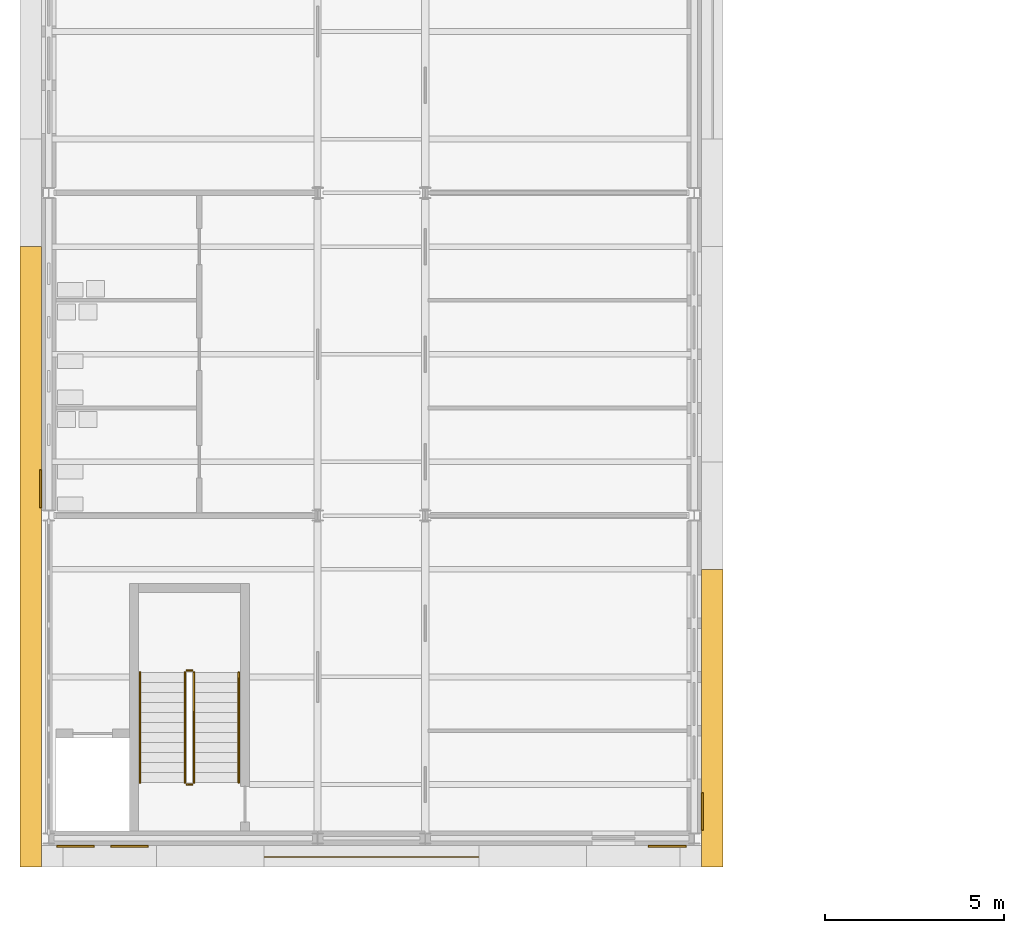
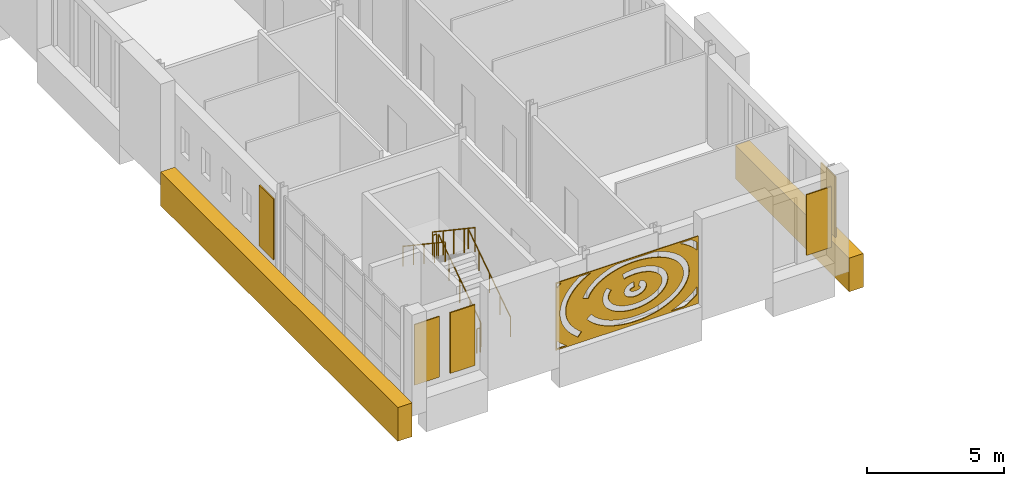
# One storey, part 107 of 131: 8 coverings, 6 railings.
"""IFC4 building model written with IfcOpenShell, lengths in metres."""

import ifcopenshell
import ifcopenshell.guid

model = None  # the IFC model being written
_history = None  # IfcOwnerHistory: only IFC2X3 demands one
_inside = {}  # id of a spatial element -> (the spatial element, [elements in it])
_under = {}  # id of a project, library or spatial element -> (it, [spatial elements below it])
_declared = {}  # id of a project -> (the project, [libraries it declares])
_typed = {}  # id of a type object -> (the type object, [elements of that type])
_made_of = {}  # id of a material, layer set ... -> (it, [elements and type objects made of it])


def new_model(schema):
    """Start an empty IFC model of exactly this schema.

    Asked for "IFC4X3", IfcOpenShell would pick the latest addendum, in which some entities
    have other attributes; the version numbers below select the first issue.
    IFC2X3 requires an IfcOwnerHistory on every rooted entity: one is made here for all.
    """
    global model, _history
    if schema == "IFC4X3":
        model = ifcopenshell.file(schema_version=(4, 3, 0, 0))
    else:
        model = ifcopenshell.file(schema=schema)
    _inside.clear()
    _under.clear()
    _declared.clear()
    _typed.clear()
    _made_of.clear()
    _history = None
    if model.schema == "IFC2X3":
        org = make("IfcOrganization", Name="unknown")
        user = make(
            "IfcPersonAndOrganization",
            ThePerson=make("IfcPerson", FamilyName="unknown"),
            TheOrganization=org,
        )
        app = make(
            "IfcApplication",
            ApplicationDeveloper=org,
            Version="unknown",
            ApplicationFullName="unknown",
            ApplicationIdentifier="unknown",
        )
        _history = make(
            "IfcOwnerHistory",
            OwningUser=user,
            OwningApplication=app,
            ChangeAction="ADDED",
            CreationDate=0,
        )
    return model


def make(cls, **values):
    """One entity of the class cls with the attributes given. An attribute that is None is left unset."""
    return model.create_entity(
        cls, **{name: value for name, value in values.items() if value is not None}
    )


def rooted(cls, **values):
    """An entity with a GlobalId (a new one), such as an element, a storey or a relation."""
    return make(cls, GlobalId=ifcopenshell.guid.new(), OwnerHistory=_history, **values)


def si_unit(unit_type, name, prefix=None):
    """IfcSIUnit, for example si_unit("LENGTHUNIT", "METRE", prefix="MILLI")."""
    return make("IfcSIUnit", UnitType=unit_type, Prefix=prefix, Name=name)


def assignment(units):
    """IfcUnitAssignment: the units of a project."""
    return None if units is None else make("IfcUnitAssignment", Units=units)


def point(xyz):
    """IfcCartesianPoint."""
    return None if xyz is None else make("IfcCartesianPoint", Coordinates=xyz)


def direction(xyz):
    """IfcDirection."""
    return None if xyz is None else make("IfcDirection", DirectionRatios=xyz)


def frame(location, z_axis=None, x_axis=None):
    """IfcAxis2Placement3D, a coordinate frame: its origin and axes. An axis left out is left unset."""
    return make(
        "IfcAxis2Placement3D",
        Location=point(location),
        Axis=direction(z_axis),
        RefDirection=direction(x_axis),
    )


def frame_2d(location, x_axis=None):
    """IfcAxis2Placement2D, a coordinate frame in the plane: its origin and x axis."""
    return make(
        "IfcAxis2Placement2D", Location=point(location), RefDirection=direction(x_axis)
    )


def origin():
    """The frame at (0, 0, 0) with its axes left unset."""
    return frame((0.0, 0.0, 0.0))


def origin_2d():
    """The frame at (0, 0) in the plane with its x axis left unset."""
    return frame_2d((0.0, 0.0))


def place(relative_to, where):
    """IfcLocalPlacement: puts the frame where relative to a parent placement (None: the world)."""
    return make(
        "IfcLocalPlacement", PlacementRelTo=relative_to, RelativePlacement=where
    )


def context(
    kind, dimensions, precision=None, world=None, true_north=None, identifier=None
):
    """IfcGeometricRepresentationContext, for example the 3D "Model" context."""
    return make(
        "IfcGeometricRepresentationContext",
        ContextIdentifier=identifier,
        ContextType=kind,
        CoordinateSpaceDimension=dimensions,
        Precision=precision,
        WorldCoordinateSystem=world,
        TrueNorth=true_north,
    )


def subcontext(parent, identifier, kind, view, scale=None):
    """IfcGeometricRepresentationSubContext, for example "Body" below "Model"."""
    return make(
        "IfcGeometricRepresentationSubContext",
        ContextIdentifier=identifier,
        ContextType=kind,
        ParentContext=parent,
        TargetScale=scale,
        TargetView=view,
    )


def project(units=None, contexts=None):
    """IfcProject with its units and contexts."""
    return rooted(
        "IfcProject",
        Name="project",
        RepresentationContexts=contexts,
        UnitsInContext=assignment(units),
    )


def spatial(cls, under=None, at=None, **own):
    """A site, building, storey or space (cls), placed at a placement, below another one or the project."""
    s = rooted(cls, ObjectPlacement=at, **own)
    if under is not None:
        _under.setdefault(under.id(), (under, []))[1].append(s)
    return s


def polyline(points):
    """IfcPolyline through the points."""
    return make("IfcPolyline", Points=[point(p) for p in points])


def profile(cls, at=None, kind="AREA", **sizes):
    """A parametric profile (cls). Its sizes go by their IFC names, for example OverallWidth=200.0."""
    return make(cls, ProfileType=kind, Position=at, **sizes)


def circle(**sizes):
    """IfcCircleProfileDef."""
    return profile("IfcCircleProfileDef", **sizes)


def outline(outer, holes=None, kind="AREA"):
    """IfcArbitraryClosedProfileDef: a profile drawn as a closed curve; with holes, ...WithVoids."""
    if holes is None:
        return make("IfcArbitraryClosedProfileDef", ProfileType=kind, OuterCurve=outer)
    return make(
        "IfcArbitraryProfileDefWithVoids",
        ProfileType=kind,
        OuterCurve=outer,
        InnerCurves=holes,
    )


def extrude(swept, where, along, depth):
    """IfcExtrudedAreaSolid: the profile swept, set in the frame where, extruded along a direction by depth."""
    return make(
        "IfcExtrudedAreaSolid",
        SweptArea=swept,
        Position=where,
        ExtrudedDirection=direction(along),
        Depth=depth,
    )


def shape(context_of_items, identifier, shape_type, items):
    """IfcShapeRepresentation: the items that make up one representation, for example the "Body"."""
    return make(
        "IfcShapeRepresentation",
        ContextOfItems=context_of_items,
        RepresentationIdentifier=identifier,
        RepresentationType=shape_type,
        Items=items,
    )


def material(Name=None, Category=None):
    """IfcMaterial."""
    return make("IfcMaterial", Name=Name, Category=Category)


def layer(
    of_material, thickness, ventilated=None, Name=None, Category=None, Priority=None
):
    """IfcMaterialLayer: one layer of a wall or slab, of a material (None: an air gap)."""
    return make(
        "IfcMaterialLayer",
        Material=of_material,
        LayerThickness=thickness,
        IsVentilated=ventilated,
        Name=Name,
        Category=Category,
        Priority=Priority,
    )


def layer_set(layers, Name=None):
    """IfcMaterialLayerSet."""
    return make("IfcMaterialLayerSet", MaterialLayers=layers, LayerSetName=Name)


def made_of(thing, what):
    """Note that an element or type object is made of a material, layer set ...; save() writes the relation."""
    if what is not None:
        _made_of.setdefault(what.id(), (what, []))[1].append(thing)
    return thing


def type_object(cls, material=None, **own):
    """A type object (cls), such as IfcWallType, which elements share."""
    return made_of(rooted(cls, **own), material)


def element(
    cls,
    number,
    at=None,
    inside=None,
    cuts=None,
    type_object=None,
    material=None,
    context=None,
    identifier="Body",
    shape_type=None,
    held_by="IfcProductDefinitionShape",
    body=None,
    shapes=None,
    **own,
):
    """One element of the class cls, such as IfcWall. Its Tag is "e" and its number.

    at: its placement. inside: the storey or other place that contains it. cuts: it is an
    opening in that element (IfcRelVoidsElement). A single representation is given by context,
    identifier, shape_type and body (its items); several are given by shapes. held_by: the class
    of the entity that holds the representations. save() writes the other relations.
    """
    e = rooted(cls, Tag="e%d" % number, ObjectPlacement=at, **own)
    if body is not None:
        shapes = [shape(context, identifier, shape_type, body)]
    if shapes is not None:
        e.Representation = make(held_by, Representations=shapes)
    if inside is not None:
        _inside.setdefault(inside.id(), (inside, []))[1].append(e)
    if cuts is not None:
        rooted(
            "IfcRelVoidsElement", RelatingBuildingElement=cuts, RelatedOpeningElement=e
        )
    if type_object is not None:
        _typed.setdefault(type_object.id(), (type_object, []))[1].append(e)
    return made_of(e, material)


def aggregate(whole, parts):
    """IfcRelAggregates: a whole, such as a stair, and the parts it consists of."""
    return rooted("IfcRelAggregates", RelatingObject=whole, RelatedObjects=parts)


def save(model, path):
    """Write the relations noted so far, then the file.

    IfcRelAggregates (storeys below a building ...), IfcRelContainedInSpatialStructure (elements
    in a storey), IfcRelDefinesByType, IfcRelAssociatesMaterial and IfcRelDeclares: one each for
    every whole, place, type object, material and project.
    """
    for whole, parts in _under.values():
        aggregate(whole, parts)
    for where, things in _inside.values():
        rooted(
            "IfcRelContainedInSpatialStructure",
            RelatedElements=things,
            RelatingStructure=where,
        )
    for kind, things in _typed.values():
        rooted("IfcRelDefinesByType", RelatedObjects=things, RelatingType=kind)
    for what, things in _made_of.values():
        rooted("IfcRelAssociatesMaterial", RelatedObjects=things, RelatingMaterial=what)
    for by, libraries in _declared.values():
        rooted("IfcRelDeclares", RelatingContext=by, RelatedDefinitions=libraries)
    model.write(path)


model = new_model("IFC4")

# Units and contexts
model_context = context("Model", 3, precision=1e-05, world=origin(), true_north=direction((0.0, 1.0)))
body_context = subcontext(model_context, "Body", "Model", "MODEL_VIEW")
ifc_project = project(units=[si_unit("LENGTHUNIT", "METRE"), si_unit("AREAUNIT", "SQUARE_METRE"), si_unit("VOLUMEUNIT", "CUBIC_METRE"), si_unit("PLANEANGLEUNIT", "RADIAN"), si_unit("MASSUNIT", "GRAM", prefix="KILO")], contexts=[model_context])

# Site, building, storey
site_placement = place(None, origin())
site = spatial("IfcSite", under=ifc_project, at=site_placement, CompositionType="ELEMENT")
building_placement = place(site_placement, origin())
building = spatial("IfcBuilding", under=site, at=building_placement, Name="Golden Quay Civic Hall", CompositionType="ELEMENT")
storey_placement = place(building_placement, frame((0.0, 0.0, 9.89990234375)))
storey = spatial("IfcBuildingStorey", under=building, at=storey_placement, Name="L02", CompositionType="ELEMENT", Elevation=9.89990234375)

# Covering
ifc_material_1 = material(Name="Aluminium, golden anodised, perforated", Category="aluminium")
ifc_layer_1 = layer(ifc_material_1, 0.0400390625)
ifc_layer_set_1 = layer_set([ifc_layer_1], Name="Perforated screen panel 6000 x 3000 x 40")
covering_type_1 = type_object("IfcCoveringType", Name="Perforated screen panel 6000 x 3000 x 40", PredefinedType="CLADDING", material=ifc_layer_set_1)
covering_1_placement = place(storey_placement, frame((9.0, -9.5, 2.10009765625), z_axis=(0.0, -1.0, 0.0), x_axis=(1.0, 0.0, 0.0)))
element("IfcCovering", 1, at=covering_1_placement, inside=storey, type_object=covering_type_1, Name="Perforated screen panel 6000 x 3000 x 40 L02 6", PredefinedType="CLADDING", context=body_context, shape_type="SweptSolid", body=[
    extrude(outline(polyline([(-3.0, -1.5), (3.0, -1.5), (3.0, 1.5), (-3.0, 1.5), (-3.0, -1.5)]), holes=[polyline([(0.258056640625, 0.16650390625), (0.1943359375, 0.14599609375), (0.162109375, 0.12841796875), (0.139404296875, 0.110595703125), (0.126708984375, 0.095458984375), (0.120849609375, 0.080078125), (0.1259765625, 0.065673828125), (0.1376953125, 0.051025390625), (0.174072265625, 0.0244140625), (0.210205078125, 0.007568359375), (0.277587890625, -0.010498046875), (0.327880859375, -0.015869140625), (0.379150390625, -0.015380859375), (0.45263671875, -0.004150390625), (0.495361328125, 0.009765625), (0.544189453125, 0.035888671875), (0.564453125, 0.05322265625), (0.574951171875, 0.0673828125), (0.5791015625, 0.07861328125), (0.57568359375, 0.09130859375), (0.55810546875, 0.11279296875), (0.5341796875, 0.130859375), (0.4765625, 0.1572265625), (0.562744140625, 0.38232421875), (0.633056640625, 0.351806640625), (0.68798828125, 0.317626953125), (0.742431640625, 0.269287109375), (0.77392578125, 0.22900390625), (0.801513671875, 0.176513671875), (0.816650390625, 0.123291015625), (0.81982421875, 0.064697265625), (0.810302734375, 0.009521484375), (0.797607421875, -0.02587890625), (0.780517578125, -0.05859375), (0.759765625, -0.0888671875), (0.735595703125, -0.1162109375), (0.708984375, -0.14111328125), (0.6572265625, -0.177978515625), (0.581298828125, -0.21533203125), (0.54541015625, -0.22802734375), (0.477294921875, -0.245361328125), (0.3916015625, -0.256103515625), (0.319091796875, -0.256591796875), (0.272705078125, -0.2529296875), (0.2021484375, -0.240966796875), (0.164794921875, -0.231201171875), (0.093505859375, -0.20458984375), (0.0283203125, -0.1689453125), (-0.02880859375, -0.123291015625), (-0.06201171875, -0.085693359375), (-0.093505859375, -0.034912109375), (-0.1123046875, 0.016357421875), (-0.1201171875, 0.074462890625), (-0.115234375, 0.130615234375), (-0.097412109375, 0.186767578125), (-0.0712890625, 0.23291015625), (-0.03271484375, 0.279296875), (0.025390625, 0.326904296875), (0.066162109375, 0.351318359375), (0.135009765625, 0.381591796875), (0.201904296875, 0.40087890625), (0.27978515625, 0.413818359375), (0.310546875, 0.1748046875), (0.258056640625, 0.16650390625)]), polyline([(-0.724609375, 0.27685546875), (-0.746826171875, 0.232421875), (-0.76318359375, 0.187744140625), (-0.773681640625, 0.143310546875), (-0.77880859375, 0.09912109375), (-0.778564453125, 0.05517578125), (-0.772705078125, 0.010986328125), (-0.761474609375, -0.033447265625), (-0.744384765625, -0.078125), (-0.721435546875, -0.122802734375), (-0.6923828125, -0.167236328125), (-0.6572265625, -0.211181640625), (-0.61572265625, -0.254150390625), (-0.568603515625, -0.2958984375), (-0.515380859375, -0.3359375), (-0.456787109375, -0.373779296875), (-0.392822265625, -0.409423828125), (-0.32421875, -0.44189453125), (-0.251220703125, -0.4716796875), (-0.17431640625, -0.497802734375), (-0.093994140625, -0.5205078125), (-0.010986328125, -0.539306640625), (0.07470703125, -0.55419921875), (0.161865234375, -0.565185546875), (0.250244140625, -0.572021484375), (0.339599609375, -0.574462890625), (0.4287109375, -0.572998046875), (0.517333984375, -0.567138671875), (0.60498046875, -0.55712890625), (0.69091796875, -0.543212890625), (0.774658203125, -0.525146484375), (0.855712890625, -0.50341796875), (0.933349609375, -0.47802734375), (1.00732421875, -0.44921875), (1.0771484375, -0.417236328125), (1.14208984375, -0.382568359375), (1.201904296875, -0.34521484375), (1.256591796875, -0.305419921875), (1.30517578125, -0.26416015625), (1.347900390625, -0.221435546875), (1.384521484375, -0.177490234375), (1.4150390625, -0.13330078125), (1.439453125, -0.088623046875), (1.4580078125, -0.0439453125), (1.470458984375, 0.00048828125), (1.4775390625, 0.044677734375), (1.479248046875, 0.0888671875), (1.475341796875, 0.1328125), (1.46630859375, 0.17724609375), (1.451171875, 0.2216796875), (1.430419921875, 0.266357421875), (1.40380859375, 0.310791015625), (1.370849609375, 0.35498046875), (1.331787109375, 0.3984375), (1.28662109375, 0.44091796875), (1.235595703125, 0.4814453125), (1.178955078125, 0.520263671875), (1.116943359375, 0.556640625), (1.0498046875, 0.59033203125), (0.978515625, 0.62109375), (0.90283203125, 0.648681640625), (0.82373046875, 0.672607421875), (0.74169921875, 0.69287109375), (0.656982421875, 0.709228515625), (0.5703125, 0.7216796875), (0.482177734375, 0.72998046875), (0.393310546875, 0.73388671875), (0.303955078125, 0.73388671875), (0.215087890625, 0.729736328125), (0.126953125, 0.72119140625), (0.040283203125, 0.708740234375), (-0.044189453125, 0.692138671875), (-0.12939453125, 0.671142578125), (-0.1875, 0.90478515625), (-0.093505859375, 0.927978515625), (0.0029296875, 0.94677734375), (0.101318359375, 0.960693359375), (0.195068359375, 0.9697265625), (0.29541015625, 0.974609375), (0.39599609375, 0.974853515625), (0.49609375, 0.970458984375), (0.595703125, 0.961181640625), (0.69970703125, 0.9462890625), (0.790283203125, 0.9287109375), (0.884521484375, 0.90576171875), (0.975830078125, 0.878173828125), (1.0703125, 0.84375), (1.1484375, 0.810302734375), (1.228759765625, 0.77001953125), (1.304443359375, 0.725830078125), (1.375244140625, 0.677978515625), (1.4404296875, 0.626220703125), (1.50732421875, 0.5634765625), (1.560546875, 0.50341796875), (1.600341796875, 0.4501953125), (1.64013671875, 0.385009765625), (1.672607421875, 0.317138671875), (1.700439453125, 0.2333984375), (1.71484375, 0.16064453125), (1.72021484375, 0.08740234375), (1.716552734375, 0.013916015625), (1.7041015625, -0.05859375), (1.68310546875, -0.129638671875), (1.65966796875, -0.1865234375), (1.62353515625, -0.254150390625), (1.572998046875, -0.327880859375), (1.522216796875, -0.387939453125), (1.46484375, -0.444580078125), (1.408935546875, -0.4921875), (1.333251953125, -0.54736328125), (1.259521484375, -0.593017578125), (1.1875, -0.63134765625), (1.09814453125, -0.672607421875), (1.011474609375, -0.7060546875), (0.921142578125, -0.7353515625), (0.833984375, -0.7587890625), (0.732666015625, -0.780517578125), (0.635009765625, -0.796142578125), (0.54150390625, -0.806884765625), (0.435791015625, -0.813720703125), (0.341064453125, -0.8154296875), (0.240478515625, -0.8125), (0.135009765625, -0.804443359375), (0.041748046875, -0.79296875), (-0.055419921875, -0.776123046875), (-0.150390625, -0.754638671875), (-0.242919921875, -0.728759765625), (-0.33837890625, -0.696044921875), (-0.41796875, -0.6640625), (-0.499755859375, -0.625244140625), (-0.583984375, -0.578369140625), (-0.64990234375, -0.535888671875), (-0.71728515625, -0.485595703125), (-0.7861328125, -0.424560546875), (-0.834716796875, -0.3740234375), (-0.884033203125, -0.313232421875), (-0.9326171875, -0.23828125), (-0.961669921875, -0.182373046875), (-0.989013671875, -0.113037109375), (-1.010498046875, -0.027587890625), (-1.018310546875, 0.031005859375), (-1.019775390625, 0.1044921875), (-1.009765625, 0.192138671875), (-0.99169921875, 0.263916015625), (-0.970703125, 0.3212890625), (-0.931396484375, 0.400634765625), (-0.889892578125, 0.465087890625), (-0.8486328125, 0.51806640625), (-0.65869140625, 0.36962890625), (-0.696533203125, 0.3212890625), (-0.724609375, 0.27685546875)]), polyline([(-1.382568359375, -0.546630859375), (-1.3115234375, -0.611572265625), (-1.2333984375, -0.673828125), (-1.1484375, -0.7333984375), (-1.05712890625, -0.789794921875), (-0.959716796875, -0.843017578125), (-0.856201171875, -0.89208984375), (-0.747802734375, -0.937255859375), (-0.634521484375, -0.978271484375), (-0.51708984375, -1.0146484375), (-0.3955078125, -1.04638671875), (-0.27099609375, -1.073486328125), (-0.143798828125, -1.095703125), (-0.014404296875, -1.112548828125), (0.11669921875, -1.12451171875), (0.248779296875, -1.131103515625), (0.38134765625, -1.13232421875), (0.513671875, -1.12841796875), (0.645263671875, -1.119384765625), (0.775634765625, -1.105224609375), (0.904052734375, -1.085693359375), (1.0302734375, -1.061279296875), (1.1533203125, -1.031982421875), (1.27294921875, -0.998046875), (1.388671875, -0.95947265625), (1.499755859375, -0.91650390625), (1.605712890625, -0.869384765625), (1.706298828125, -0.818359375), (1.801025390625, -0.763671875), (1.889404296875, -0.705810546875), (1.97119140625, -0.644775390625), (2.0458984375, -0.581298828125), (2.113525390625, -0.51513671875), (2.173583984375, -0.447509765625), (2.22607421875, -0.3779296875), (2.270751953125, -0.307373046875), (2.3076171875, -0.236083984375), (2.3369140625, -0.163818359375), (2.3583984375, -0.091552734375), (2.37255859375, -0.018798828125), (2.37890625, 0.0537109375), (2.3779296875, 0.12646484375), (2.369384765625, 0.19921875), (2.353271484375, 0.271728515625), (2.32958984375, 0.343994140625), (2.298095703125, 0.416015625), (2.259033203125, 0.4873046875), (2.212158203125, 0.5576171875), (2.157470703125, 0.62646484375), (2.095458984375, 0.69384765625), (2.02587890625, 0.75927734375), (1.94921875, 0.822021484375), (1.865478515625, 0.882080078125), (1.775146484375, 0.939208984375), (1.6787109375, 0.992919921875), (1.57666015625, 1.04296875), (1.468994140625, 1.0888671875), (1.356689453125, 1.130615234375), (1.239990234375, 1.168212890625), (1.119384765625, 1.20068359375), (0.995361328125, 1.228759765625), (0.868408203125, 1.251708984375), (0.739501953125, 1.269775390625), (0.608642578125, 1.282470703125), (0.476806640625, 1.2900390625), (0.34423828125, 1.29248046875), (0.2119140625, 1.289794921875), (0.080078125, 1.281494140625), (-0.05078125, 1.268310546875), (-0.1796875, 1.25), (-0.30615234375, 1.2265625), (-0.429931640625, 1.197998046875), (-0.55029296875, 1.1650390625), (-0.666748046875, 1.127197265625), (-0.77880859375, 1.085205078125), (-0.8857421875, 1.038818359375), (-0.9873046875, 0.988525390625), (-1.083251953125, 0.9345703125), (-1.173095703125, 0.877197265625), (-1.256103515625, 0.816650390625), (-1.33203125, 0.753662109375), (-1.401123046875, 0.68798828125), (-1.462646484375, 0.62060546875), (-1.5166015625, 0.551513671875), (-1.562744140625, 0.481201171875), (-1.60107421875, 0.409912109375), (-1.634033203125, 0.33251953125), (-1.855712890625, 0.42724609375), (-1.81591796875, 0.519287109375), (-1.766845703125, 0.60888671875), (-1.70947265625, 0.69580078125), (-1.649658203125, 0.7724609375), (-1.576171875, 0.853515625), (-1.4951171875, 0.930908203125), (-1.40673828125, 1.004638671875), (-1.311767578125, 1.07421875), (-1.210205078125, 1.13916015625), (-1.102783203125, 1.199951171875), (-0.98974609375, 1.256103515625), (-0.87158203125, 1.307373046875), (-0.748779296875, 1.353759765625), (-0.6220703125, 1.39501953125), (-0.452880859375, 1.43994140625), (1.153564453125, 1.43994140625), (1.310791015625, 1.398193359375), (1.432861328125, 1.359375), (1.555908203125, 1.313720703125), (1.67431640625, 1.26318359375), (1.78759765625, 1.2080078125), (1.895263671875, 1.148193359375), (1.997314453125, 1.083984375), (2.0927734375, 1.015380859375), (2.181640625, 0.94287109375), (2.269287109375, 0.8603515625), (2.337646484375, 0.78662109375), (2.404052734375, 0.703125), (2.46240234375, 0.61669921875), (2.511962890625, 0.527099609375), (2.556640625, 0.424560546875), (2.583984375, 0.34130859375), (2.605712890625, 0.245361328125), (2.61865234375, 0.13623046875), (2.619384765625, 0.038818359375), (2.610107421875, -0.058349609375), (2.591064453125, -0.154541015625), (2.566162109375, -0.23828125), (2.52880859375, -0.331787109375), (2.47705078125, -0.431884765625), (2.421142578125, -0.519287109375), (2.36279296875, -0.596435546875), (2.284912109375, -0.6845703125), (2.205078125, -0.761962890625), (2.118408203125, -0.835693359375), (2.030517578125, -0.90087890625), (1.92431640625, -0.970703125), (1.818115234375, -1.03173828125), (1.706298828125, -1.08837890625), (1.5947265625, -1.1376953125), (1.467529296875, -1.18701171875), (1.341552734375, -1.22900390625), (1.216796875, -1.264404296875), (1.07861328125, -1.29736328125), (0.9423828125, -1.323486328125), (0.80908203125, -1.34375), (0.664306640625, -1.359619140625), (0.52294921875, -1.369140625), (0.385986328125, -1.373291015625), (0.239013671875, -1.37158203125), (0.102294921875, -1.36474609375), (-0.038330078125, -1.352294921875), (-0.182373046875, -1.33349609375), (-0.314697265625, -1.310546875), (-0.44921875, -1.281494140625), (-0.585693359375, -1.24560546875), (-0.70849609375, -1.20751953125), (-0.83251953125, -1.162841796875), (-0.957275390625, -1.11083984375), (-1.066162109375, -1.05908203125), (-1.175048828125, -1.0), (-1.278076171875, -0.9365234375), (-1.375, -0.868896484375), (-1.47119140625, -0.7919921875), (-1.548095703125, -0.7216796875), (-1.623779296875, -0.64208984375), (-1.69189453125, -0.5595703125), (-1.505126953125, -0.4072265625), (-1.446044921875, -0.4794921875), (-1.382568359375, -0.546630859375)]), polyline([(1.931396484375, -1.407958984375), (2.066162109375, -1.35205078125), (2.19580078125, -1.291748046875), (2.3193359375, -1.22705078125), (2.436767578125, -1.15869140625), (2.547607421875, -1.086669921875), (2.6513671875, -1.010986328125), (2.747802734375, -0.932373046875), (2.8369140625, -0.85107421875), (2.93994140625, -0.741455078125), (2.93994140625, -1.083251953125), (2.80078125, -1.199951171875), (2.681640625, -1.28662109375), (2.560791015625, -1.365234375), (2.43212890625, -1.43994140625), (1.843994140625, -1.43994140625), (1.931396484375, -1.407958984375)]), polyline([(2.88818359375, 0.958984375), (2.80419921875, 1.042236328125), (2.712158203125, 1.12255859375), (2.61279296875, 1.199951171875), (2.50634765625, 1.2744140625), (2.39306640625, 1.34521484375), (2.21728515625, 1.43994140625), (2.68994140625, 1.43994140625), (2.75341796875, 1.395751953125), (2.863037109375, 1.310302734375), (2.93994140625, 1.243408203125), (2.93994140625, 0.9013671875), (2.88818359375, 0.958984375)]), polyline([(-1.6171875, 1.388427734375), (-1.734619140625, 1.320068359375), (-1.845703125, 1.247802734375), (-1.949462890625, 1.172607421875), (-2.046142578125, 1.093994140625), (-2.135498046875, 1.012451171875), (-2.216796875, 0.9287109375), (-2.2900390625, 0.842529296875), (-2.35546875, 0.754638671875), (-2.412353515625, 0.665283203125), (-2.461181640625, 0.574462890625), (-2.50146484375, 0.48291015625), (-2.533203125, 0.390380859375), (-2.556884765625, 0.297607421875), (-2.572021484375, 0.2041015625), (-2.5791015625, 0.11083984375), (-2.57763671875, 0.017333984375), (-2.56787109375, -0.076171875), (-2.5498046875, -0.169189453125), (-2.5234375, -0.261962890625), (-2.488525390625, -0.354248046875), (-2.4453125, -0.445556640625), (-2.393798828125, -0.535888671875), (-2.333984375, -0.625), (-2.26611328125, -0.712158203125), (-2.189697265625, -0.797607421875), (-2.105712890625, -0.880615234375), (-2.013916015625, -0.961181640625), (-1.912353515625, -1.04052734375), (-2.060546875, -1.23046875), (-2.17041015625, -1.14453125), (-2.2724609375, -1.054443359375), (-2.366943359375, -0.960693359375), (-2.45361328125, -0.863525390625), (-2.526611328125, -0.769775390625), (-2.59619140625, -0.666748046875), (-2.656982421875, -0.56103515625), (-2.70849609375, -0.45263671875), (-2.75048828125, -0.34228515625), (-2.782958984375, -0.230224609375), (-2.806884765625, -0.106201171875), (-2.818359375, 0.00830078125), (-2.819580078125, 0.123291015625), (-2.810791015625, 0.23779296875), (-2.793701171875, 0.34130859375), (-2.765625, 0.45458984375), (-2.7275390625, 0.566162109375), (-2.6796875, 0.67578125), (-2.617919921875, 0.791015625), (-2.551513671875, 0.894775390625), (-2.47607421875, 0.995849609375), (-2.392333984375, 1.093505859375), (-2.300537109375, 1.18798828125), (-2.2060546875, 1.274169921875), (-2.098876953125, 1.361572265625), (-1.9912109375, 1.43994140625), (-1.51806640625, 1.43994140625), (-1.6171875, 1.388427734375)]), polyline([(-2.8173828125, 1.384033203125), (-2.91796875, 1.289306640625), (-2.93994140625, 1.26611328125), (-2.93994140625, 1.43994140625), (-2.751708984375, 1.43994140625), (-2.8173828125, 1.384033203125)]), polyline([(-2.93994140625, -1.10595703125), (-2.81689453125, -1.224609375), (-2.708740234375, -1.316650390625), (-2.543701171875, -1.43994140625), (-2.935302734375, -1.43994140625), (-2.93994140625, -1.43603515625), (-2.93994140625, -1.10595703125)])]), origin(), (0.0, 0.0, 1.0), 0.0400390625),
])

# Railings
ifc_material_2 = material(Name="Steel S355", Category="steel")
railing_type_1 = type_object("IfcRailingType", Name="Steel guard 1100", PredefinedType="GUARDRAIL", material=ifc_material_2)
railing_1_placement = place(storey_placement, frame((4.050048828125, -7.449951171875, 0.1875)))
element("IfcRailing", 2, at=railing_1_placement, inside=storey, type_object=railing_type_1, Name="L02 WO-S stair guard 1", PredefinedType="GUARDRAIL", context=body_context, shape_type="SweptSolid", body=[
    extrude(circle(Radius=0.02392578125, at=origin_2d()), frame((0.0, 0.0, 1.076171875), z_axis=(0.0, 0.830893310487, 0.556431762742), x_axis=(-1.0, 0.0, 0.0)), (0.0, 0.0, 1.0), 3.70654296875),
    extrude(circle(Radius=0.02099609375, at=origin_2d()), origin(), (0.0, 0.0, 1.0), 1.052001953125),
    extrude(circle(Radius=0.02099609375, at=origin_2d()), frame((0.0, 0.77001953125, 0.515625)), (0.0, 0.0, 1.0), 1.052001953125),
    extrude(circle(Radius=0.02099609375, at=origin_2d()), frame((0.0, 1.5400390625, 1.03125)), (0.0, 0.0, 1.0), 1.052001953125),
    extrude(circle(Radius=0.02099609375, at=origin_2d()), frame((0.0, 2.309814453125, 1.546875)), (0.0, 0.0, 1.0), 1.052001953125),
    extrude(circle(Radius=0.02099609375, at=origin_2d()), frame((0.0, 3.079833984375, 2.0625)), (0.0, 0.0, 1.0), 1.052001953125),
])
railing_2_placement = place(storey_placement, frame((4.0, -4.320068359375, 2.25)))
element("IfcRailing", 3, at=railing_2_placement, inside=storey, type_object=railing_type_1, Name="L02 WO-S stair guard 2", PredefinedType="GUARDRAIL", context=body_context, shape_type="SweptSolid", body=[
    extrude(circle(Radius=0.02392578125, at=origin_2d()), frame((0.0, 0.0, 1.076171875), z_axis=(-1.0, 0.0, 0.0), x_axis=(0.0, -1.0, 0.0)), (0.0, 0.0, 1.0), 0.14990234375),
    extrude(circle(Radius=0.02099609375, at=origin_2d()), origin(), (0.0, 0.0, 1.0), 1.052001953125),
    extrude(circle(Radius=0.02099609375, at=origin_2d()), frame((-0.14990234375, 0.0, 0.0)), (0.0, 0.0, 1.0), 1.052001953125),
])
railing_3_placement = place(storey_placement, frame((3.800048828125, -4.3701171875, 2.4375)))
element("IfcRailing", 4, at=railing_3_placement, inside=storey, type_object=railing_type_1, Name="L02 WO-S stair guard 3", PredefinedType="GUARDRAIL", context=body_context, shape_type="SweptSolid", body=[
    extrude(circle(Radius=0.02392578125, at=origin_2d()), frame((0.0, 0.0, 1.076171875), z_axis=(0.0, -0.830893310487, 0.556431762742), x_axis=(1.0, 0.0, 0.0)), (0.0, 0.0, 1.0), 3.70654296875),
    extrude(circle(Radius=0.02099609375, at=origin_2d()), origin(), (0.0, 0.0, 1.0), 1.052001953125),
    extrude(circle(Radius=0.02099609375, at=origin_2d()), frame((0.0, -0.77001953125, 0.515625)), (0.0, 0.0, 1.0), 1.052001953125),
    extrude(circle(Radius=0.02099609375, at=origin_2d()), frame((0.0, -1.5400390625, 1.03125)), (0.0, 0.0, 1.0), 1.052001953125),
    extrude(circle(Radius=0.02099609375, at=origin_2d()), frame((0.0, -2.309814453125, 1.546875)), (0.0, 0.0, 1.0), 1.052001953125),
    extrude(circle(Radius=0.02099609375, at=origin_2d()), frame((0.0, -3.079833984375, 2.0625)), (0.0, 0.0, 1.0), 1.052001953125),
])
railing_4_placement = place(storey_placement, frame((4.0, -7.5, 0.0)))
element("IfcRailing", 5, at=railing_4_placement, inside=storey, type_object=railing_type_1, Name="L02 WO-S stair guard 4", PredefinedType="GUARDRAIL", context=body_context, shape_type="SweptSolid", body=[
    extrude(circle(Radius=0.02392578125, at=origin_2d()), frame((0.0, 0.0, 1.076171875), z_axis=(-1.0, 0.0, 0.0), x_axis=(0.0, -1.0, 0.0)), (0.0, 0.0, 1.0), 0.14990234375),
    extrude(circle(Radius=0.02099609375, at=origin_2d()), origin(), (0.0, 0.0, 1.0), 1.052001953125),
    extrude(circle(Radius=0.02099609375, at=origin_2d()), frame((-0.14990234375, 0.0, 0.0)), (0.0, 0.0, 1.0), 1.052001953125),
])
ifc_material_3 = material(Name="Steel S355", Category="steel")
railing_type_2 = type_object("IfcRailingType", Name="Steel handrail 900", PredefinedType="HANDRAIL", material=ifc_material_3)
railing_5_placement = place(storey_placement, frame((5.300048828125, -7.449951171875, 0.1875)))
element("IfcRailing", 6, at=railing_5_placement, inside=storey, type_object=railing_type_2, Name="L02 WO-S stair handrail 1", PredefinedType="HANDRAIL", context=body_context, shape_type="SweptSolid", body=[
    extrude(circle(Radius=0.02392578125, at=origin_2d()), frame((0.0, 0.0, 0.8759765625), z_axis=(0.0, 0.830893310487, 0.556431762742), x_axis=(-1.0, 0.0, 0.0)), (0.0, 0.0, 1.0), 3.70654296875),
    extrude(circle(Radius=0.02099609375, at=origin_2d()), origin(), (0.0, 0.0, 1.0), 0.851806640625),
    extrude(circle(Radius=0.02099609375, at=origin_2d()), frame((0.0, 0.77001953125, 0.515625)), (0.0, 0.0, 1.0), 0.851806640625),
    extrude(circle(Radius=0.02099609375, at=origin_2d()), frame((0.0, 1.5400390625, 1.03125)), (0.0, 0.0, 1.0), 0.851806640625),
    extrude(circle(Radius=0.02099609375, at=origin_2d()), frame((0.0, 2.309814453125, 1.546875)), (0.0, 0.0, 1.0), 0.851806640625),
    extrude(circle(Radius=0.02099609375, at=origin_2d()), frame((0.0, 3.079833984375, 2.0625)), (0.0, 0.0, 1.0), 0.851806640625),
])
railing_6_placement = place(storey_placement, frame((2.550048828125, -4.3701171875, 2.4375)))
element("IfcRailing", 7, at=railing_6_placement, inside=storey, type_object=railing_type_2, Name="L02 WO-S stair handrail 2", PredefinedType="HANDRAIL", context=body_context, shape_type="SweptSolid", body=[
    extrude(circle(Radius=0.02392578125, at=origin_2d()), frame((0.0, 0.0, 0.8759765625), z_axis=(0.0, -0.830893310487, 0.556431762742), x_axis=(1.0, 0.0, 0.0)), (0.0, 0.0, 1.0), 3.70654296875),
    extrude(circle(Radius=0.02099609375, at=origin_2d()), origin(), (0.0, 0.0, 1.0), 0.851806640625),
    extrude(circle(Radius=0.02099609375, at=origin_2d()), frame((0.0, -0.77001953125, 0.515625)), (0.0, 0.0, 1.0), 0.851806640625),
    extrude(circle(Radius=0.02099609375, at=origin_2d()), frame((0.0, -1.5400390625, 1.03125)), (0.0, 0.0, 1.0), 0.851806640625),
    extrude(circle(Radius=0.02099609375, at=origin_2d()), frame((0.0, -2.309814453125, 1.546875)), (0.0, 0.0, 1.0), 0.851806640625),
    extrude(circle(Radius=0.02099609375, at=origin_2d()), frame((0.0, -3.079833984375, 2.0625)), (0.0, 0.0, 1.0), 0.851806640625),
])

# Coverings
ifc_material_4 = material(Name="Terracotta cladding, golden glaze", Category="masonry")
ifc_layer_2 = layer(ifc_material_4, 0.050048828125)
ifc_layer_set_2 = layer_set([ifc_layer_2], Name="Terracotta solid panel 1050 x 2700 x 50")
covering_type_2 = type_object("IfcCoveringType", Name="Terracotta solid panel 1050 x 2700 x 50", PredefinedType="CLADDING", material=ifc_layer_set_2)
covering_2_placement = place(storey_placement, frame((0.0, 0.0, 0.900146484375)))
element("IfcCovering", 8, at=covering_2_placement, inside=storey, type_object=covering_type_2, Name="Terracotta solid panel 1050 x 2700 x 50 L02 1", PredefinedType="CLADDING", context=body_context, shape_type="SweptSolid", body=[
    extrude(outline(polyline([(-0.199951171875, 0.22509765625), (-0.199951171875, 1.27490234375), (-0.25, 1.27490234375), (-0.25, 0.22509765625), (-0.199951171875, 0.22509765625)])), origin(), (0.0, 0.0, 1.0), 2.699951171875),
])
covering_3_placement = place(storey_placement, frame((0.0, 0.0, 0.900146484375)))
element("IfcCovering", 9, at=covering_3_placement, inside=storey, type_object=covering_type_2, Name="Terracotta solid panel 1050 x 2700 x 50 L02 11", PredefinedType="CLADDING", context=body_context, shape_type="SweptSolid", body=[
    extrude(outline(polyline([(18.199951171875, -8.77490234375), (18.199951171875, -7.72509765625), (18.25, -7.72509765625), (18.25, -8.77490234375), (18.199951171875, -8.77490234375)])), origin(), (0.0, 0.0, 1.0), 2.699951171875),
])
covering_4_placement = place(storey_placement, frame((0.0, 0.0, 0.900146484375)))
element("IfcCovering", 10, at=covering_4_placement, inside=storey, type_object=covering_type_2, Name="Terracotta solid panel 1050 x 2700 x 50 L02 13", PredefinedType="CLADDING", context=body_context, shape_type="SweptSolid", body=[
    extrude(outline(polyline([(0.22509765625, -9.199951171875), (1.27490234375, -9.199951171875), (1.27490234375, -9.25), (0.22509765625, -9.25), (0.22509765625, -9.199951171875)])), origin(), (0.0, 0.0, 1.0), 2.699951171875),
])
covering_5_placement = place(storey_placement, frame((0.0, 0.0, 0.900146484375)))
element("IfcCovering", 11, at=covering_5_placement, inside=storey, type_object=covering_type_2, Name="Terracotta solid panel 1050 x 2700 x 50 L02 14", PredefinedType="CLADDING", context=body_context, shape_type="SweptSolid", body=[
    extrude(outline(polyline([(1.72509765625, -9.199951171875), (2.77490234375, -9.199951171875), (2.77490234375, -9.25), (1.72509765625, -9.25), (1.72509765625, -9.199951171875)])), origin(), (0.0, 0.0, 1.0), 2.699951171875),
])
covering_6_placement = place(storey_placement, frame((0.0, 0.0, 0.900146484375)))
element("IfcCovering", 12, at=covering_6_placement, inside=storey, type_object=covering_type_2, Name="Terracotta solid panel 1050 x 2700 x 50 L02 15", PredefinedType="CLADDING", context=body_context, shape_type="SweptSolid", body=[
    extrude(outline(polyline([(16.72509765625, -9.199951171875), (17.77490234375, -9.199951171875), (17.77490234375, -9.25), (16.72509765625, -9.25), (16.72509765625, -9.199951171875)])), origin(), (0.0, 0.0, 1.0), 2.699951171875),
])
ifc_material_5 = material(Name="Terracotta cladding, golden glaze", Category="masonry")
covering_type_3 = type_object("IfcCoveringType", Name="Terracotta spandrel fascia 600 x 1500", PredefinedType="CLADDING", material=ifc_material_5)
covering_7_placement = place(storey_placement, frame((0.0, 0.0, -0.89990234375)))
element("IfcCovering", 13, at=covering_7_placement, inside=storey, type_object=covering_type_3, Name="Terracotta spandrel fascia 600 x 1500 L02 2", PredefinedType="CLADDING", context=body_context, shape_type="SweptSolid", body=[
    extrude(outline(polyline([(-0.199951171875, 7.5), (-0.199951171875, -9.199951171875), (-0.199951171875, -9.800048828125), (-0.800048828125, -9.800048828125), (-0.800048828125, 7.5), (-0.199951171875, 7.5)])), origin(), (0.0, 0.0, 1.0), 1.5),
])
covering_8_placement = place(storey_placement, frame((0.0, 0.0, -0.89990234375)))
element("IfcCovering", 14, at=covering_8_placement, inside=storey, type_object=covering_type_3, Name="Terracotta spandrel fascia 600 x 1500 L02 3", PredefinedType="CLADDING", context=body_context, shape_type="SweptSolid", body=[
    extrude(outline(polyline([(18.199951171875, -1.5), (18.800048828125, -1.5), (18.800048828125, -9.800048828125), (18.199951171875, -9.800048828125), (18.199951171875, -9.199951171875), (18.199951171875, -1.5)])), origin(), (0.0, 0.0, 1.0), 1.5),
])

save(model, "model.ifc")
